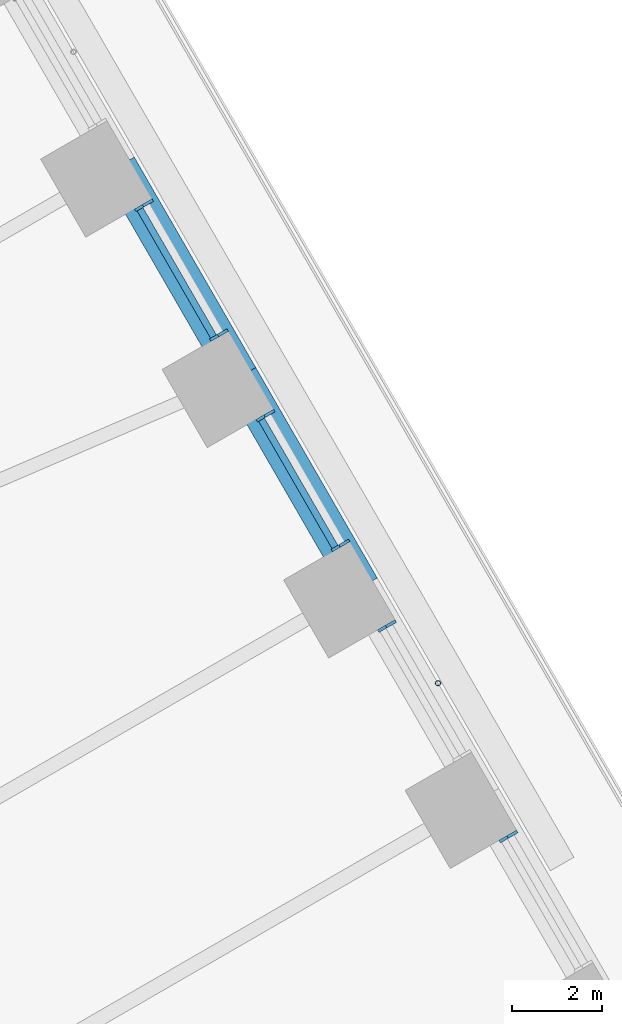
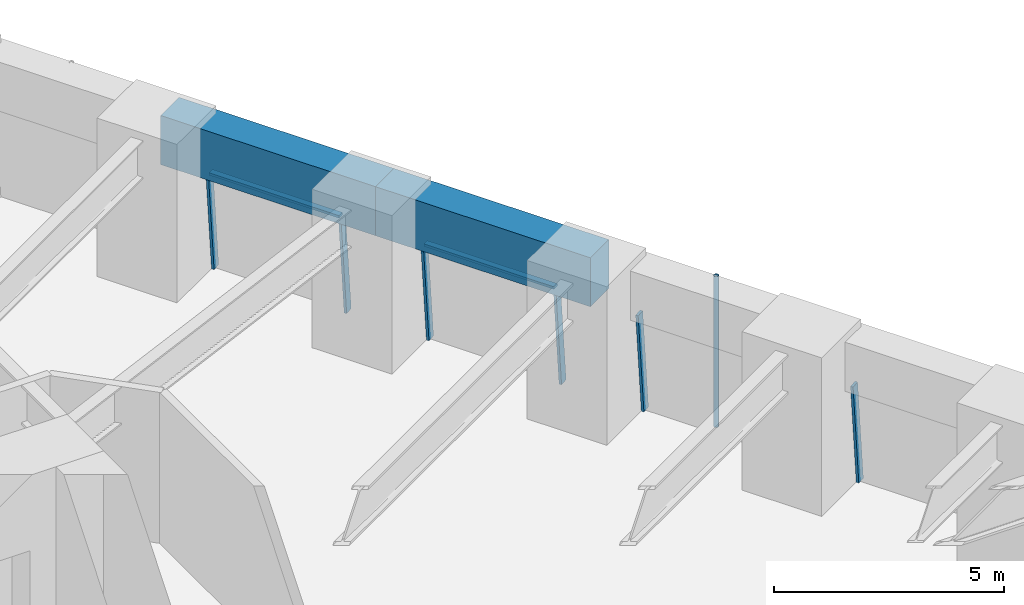
# One storey, part 13 of 23: 9 members, 2 beams, 4 elements without a shape of their own.
"""IFC4 building model written with IfcOpenShell, lengths in metres."""

from ifc_helpers import new_model, si_unit, direction, frame, origin, origin_2d, place, context, subcontext, project, spatial, rectangle, hollow_circle, extrude, material, material_profile, profile_set, type_object, element, aggregate, save


model = new_model("IFC4")

# Units and contexts
model_context = context("Model", 3, precision=1e-05, world=origin(), true_north=direction((0.0, 1.0)))
body_context = subcontext(model_context, "Body", "Model", "MODEL_VIEW")
ifc_project = project(units=[si_unit("LENGTHUNIT", "METRE"), si_unit("AREAUNIT", "SQUARE_METRE"), si_unit("VOLUMEUNIT", "CUBIC_METRE"), si_unit("PLANEANGLEUNIT", "RADIAN"), si_unit("MASSUNIT", "GRAM", prefix="KILO")], contexts=[model_context])

# Site, building, storey
site_placement = place(None, origin())
site = spatial("IfcSite", under=ifc_project, at=site_placement, CompositionType="ELEMENT")
building_placement = place(site_placement, origin())
building = spatial("IfcBuilding", under=site, at=building_placement, Name="Tarfa Lantern Tower", CompositionType="ELEMENT")
storey_placement = place(building_placement, frame((0.0, 0.0, 82.300048828125)))
storey = spatial("IfcBuildingStorey", under=building, at=storey_placement, Name="L18", CompositionType="ELEMENT", Elevation=82.300048828125)

# Curtain wall, member
ifc_material_1 = material(Name="Aluminium framed curtain wall", Category="aluminium")
curtain_wall_type = type_object("IfcCurtainWallType", Name="CW1 CANTED GLAZING LOW ZONE 2700", PredefinedType="USERDEFINED", material=ifc_material_1)
curtain_wall_1_placement = place(storey_placement, origin())
curtain_wall_1 = element("IfcCurtainWall", 1, at=curtain_wall_1_placement, inside=storey, type_object=curtain_wall_type, Name="CW1 NE L18", ObjectType="CURTAIN WALL", PredefinedType="USERDEFINED")
ifc_material_2 = material(Name="Aluminium mullion", Category="aluminium")
ifc_material_profile_1 = material_profile(ifc_material_2, rectangle(XDim=0.06494140625, YDim=0.199951171875, at=origin_2d()), Name="AL MULLION 65x200")
ifc_profile_set_1 = profile_set([ifc_material_profile_1], Name="Aluminium mullion")
member_type_1 = type_object("IfcMemberType", Name="CWM1 MULLION 65x200", PredefinedType="MULLION", material=ifc_profile_set_1)
member_1_placement = place(storey_placement, frame((35.26318359375, 6.722412109375, 0.0), z_axis=(-0.07986442134, -0.046099868913, 0.99573916077), x_axis=(0.499919672301, -0.866071776036, 0.0)))
member_1 = element("IfcMember", 2, at=member_1_placement, type_object=member_type_1, Name="CW1 mullion 2", PredefinedType="MULLION", context=body_context, shape_type="SweptSolid", body=[
    extrude(rectangle(XDim=0.06494140625, YDim=0.199951171875, at=origin_2d()), origin(), (0.0, 0.0, 1.0), 2.71142578125),
])
aggregate(curtain_wall_1, [member_1])

curtain_wall_2_placement = place(storey_placement, origin())
curtain_wall_2 = element("IfcCurtainWall", 3, at=curtain_wall_2_placement, inside=storey, type_object=curtain_wall_type, Name="CW1 NE L18", ObjectType="CURTAIN WALL", PredefinedType="USERDEFINED")
member_2_placement = place(storey_placement, frame((32.56884765625, 11.38916015625, 0.0), z_axis=(-0.07986442134, -0.046099868913, 0.99573916077), x_axis=(0.499919672301, -0.866071776036, 0.0)))
member_2 = element("IfcMember", 4, at=member_2_placement, type_object=member_type_1, Name="CW1 mullion 2", PredefinedType="MULLION", context=body_context, shape_type="SweptSolid", body=[
    extrude(rectangle(XDim=0.06494140625, YDim=0.199951171875, at=origin_2d()), origin(), (0.0, 0.0, 1.0), 2.71142578125),
])
aggregate(curtain_wall_2, [member_2])

# Curtain wall, members
curtain_wall_3_placement = place(storey_placement, origin())
curtain_wall_3 = element("IfcCurtainWall", 5, at=curtain_wall_3_placement, inside=storey, type_object=curtain_wall_type, Name="CW1 NE L18", ObjectType="CURTAIN WALL", PredefinedType="USERDEFINED")
member_3_placement = place(storey_placement, frame((31.536376953125, 13.177490234375, 0.0), z_axis=(-0.07986442134, -0.046099868913, 0.99573916077), x_axis=(0.499919672301, -0.866071776036, 0.0)))
member_3 = element("IfcMember", 6, at=member_3_placement, type_object=member_type_1, Name="CW1 mullion 1", PredefinedType="MULLION", context=body_context, shape_type="SweptSolid", body=[
    extrude(rectangle(XDim=0.06494140625, YDim=0.199951171875, at=origin_2d()), origin(), (0.0, 0.0, 1.0), 2.71142578125),
])
member_4_placement = place(storey_placement, frame((29.87451171875, 16.055908203125, 0.0), z_axis=(-0.07986442134, -0.046099868913, 0.99573916077), x_axis=(0.499919672301, -0.866071776036, 0.0)))
member_4 = element("IfcMember", 7, at=member_4_placement, type_object=member_type_1, Name="CW1 mullion 2", PredefinedType="MULLION", context=body_context, shape_type="SweptSolid", body=[
    extrude(rectangle(XDim=0.06494140625, YDim=0.199951171875, at=origin_2d()), origin(), (0.0, 0.0, 1.0), 2.71142578125),
])

curtain_wall_4_placement = place(storey_placement, origin())
curtain_wall_4 = element("IfcCurtainWall", 8, at=curtain_wall_4_placement, inside=storey, type_object=curtain_wall_type, Name="CW1 NE L18", ObjectType="CURTAIN WALL", PredefinedType="USERDEFINED")
member_5_placement = place(storey_placement, frame((28.842041015625, 17.84423828125, 0.0), z_axis=(-0.07986442134, -0.046099868913, 0.99573916077), x_axis=(0.499919672301, -0.866071776036, 0.0)))
member_5 = element("IfcMember", 9, at=member_5_placement, type_object=member_type_1, Name="CW1 mullion 1", PredefinedType="MULLION", context=body_context, shape_type="SweptSolid", body=[
    extrude(rectangle(XDim=0.06494140625, YDim=0.199951171875, at=origin_2d()), origin(), (0.0, 0.0, 1.0), 2.71142578125),
])
member_6_placement = place(storey_placement, frame((27.18017578125, 20.722412109375, 0.0), z_axis=(-0.07986442134, -0.046099868913, 0.99573916077), x_axis=(0.499919672301, -0.866071776036, 0.0)))
member_6 = element("IfcMember", 10, at=member_6_placement, type_object=member_type_1, Name="CW1 mullion 2", PredefinedType="MULLION", context=body_context, shape_type="SweptSolid", body=[
    extrude(rectangle(XDim=0.06494140625, YDim=0.199951171875, at=origin_2d()), origin(), (0.0, 0.0, 1.0), 2.71142578125),
])

# Member
ifc_material_3 = material(Name="Aluminium transom", Category="aluminium")
ifc_material_profile_2 = material_profile(ifc_material_3, rectangle(XDim=0.14990234375, YDim=0.06494140625, at=origin_2d()), Name="AL TRANSOM 150x65")
ifc_profile_set_2 = profile_set([ifc_material_profile_2], Name="Aluminium transom")
member_type_2 = type_object("IfcMemberType", Name="CWT1 TRANSOM 150x65", PredefinedType="USERDEFINED", material=ifc_profile_set_2)
member_7_placement = place(storey_placement, frame((31.30615234375, 13.082275390625, 2.66748046875), z_axis=(-0.500022939057, 0.866012159509, 0.0), x_axis=(-0.866012159509, -0.500022939057, 0.0)))
member_7 = element("IfcMember", 11, at=member_7_placement, type_object=member_type_2, Name="CW1 transom 1.2", ObjectType="TRANSOM", PredefinedType="USERDEFINED", context=body_context, shape_type="SweptSolid", body=[
    extrude(rectangle(XDim=0.14990234375, YDim=0.06494140625, at=origin_2d()), origin(), (0.0, 0.0, 1.0), 3.258544921875),
])

aggregate(curtain_wall_3, [member_3, member_4, member_7])

member_8_placement = place(storey_placement, frame((28.61181640625, 17.748779296875, 2.66748046875), z_axis=(-0.499966746847, 0.86604460165, 0.0), x_axis=(-0.86604460165, -0.499966746847, 0.0)))
member_8 = element("IfcMember", 12, at=member_8_placement, type_object=member_type_2, Name="CW1 transom 1.2", ObjectType="TRANSOM", PredefinedType="USERDEFINED", context=body_context, shape_type="SweptSolid", body=[
    extrude(rectangle(XDim=0.14990234375, YDim=0.06494140625, at=origin_2d()), origin(), (0.0, 0.0, 1.0), 3.258544921875),
])

aggregate(curtain_wall_4, [member_5, member_6, member_8])

# Beams
ifc_material_4 = material(Name="Concrete C80/95", Category="concrete")
ifc_material_profile_3 = material_profile(ifc_material_4, rectangle(XDim=0.800048828125, YDim=1.300048828125, at=origin_2d()), Name="RC 800x1300")
ifc_profile_set_3 = profile_set([ifc_material_profile_3], Name="Concrete C80/95")
beam_type = type_object("IfcBeamType", Name="EB1 RC 800x1300", PredefinedType="SPANDREL", material=ifc_profile_set_3)
beam_1_placement = place(storey_placement, frame((31.896728515625, 12.193359375, 3.349853515625), z_axis=(-0.499998287579, 0.866026392449, 0.0), x_axis=(-0.866026392449, -0.499998287579, 0.0)))
element("IfcBeam", 13, at=beam_1_placement, inside=storey, type_object=beam_type, Name="Edge beam NE2", PredefinedType="SPANDREL", context=body_context, shape_type="SweptSolid", body=[
    extrude(rectangle(XDim=0.800048828125, YDim=1.300048828125, at=origin_2d()), origin(), (0.0, 0.0, 1.0), 5.388671875),
])
beam_2_placement = place(storey_placement, frame((29.202392578125, 16.860107421875, 3.349853515625), z_axis=(-0.500017906299, 0.866015065331, 0.0), x_axis=(-0.866015065331, -0.500017906299, 0.0)))
element("IfcBeam", 14, at=beam_2_placement, inside=storey, type_object=beam_type, Name="Edge beam NE3", PredefinedType="SPANDREL", context=body_context, shape_type="SweptSolid", body=[
    extrude(rectangle(XDim=0.800048828125, YDim=1.300048828125, at=origin_2d()), origin(), (0.0, 0.0, 1.0), 5.388427734375),
])

# Member
ifc_material_5 = material(Name="Steel S355", Category="steel")
ifc_material_profile_4 = material_profile(ifc_material_5, hollow_circle(Radius=0.05712890625, WallThickness=0.00634765625, at=origin_2d()), Name="CHS114.3x6.3")
ifc_profile_set_4 = profile_set([ifc_material_profile_4], Name="Steel S355")
member_type_3 = type_object("IfcMemberType", Name="TR1 GREEN WALL TRELLIS CHS114.3x6.3", PredefinedType="USERDEFINED", material=ifc_profile_set_4)
member_9_placement = place(storey_placement, frame((33.59033203125, 10.06005859375, 0.0), z_axis=(0.0, 0.0, 1.0), x_axis=(1.0, 0.0, 0.0)))
element("IfcMember", 15, at=member_9_placement, inside=storey, type_object=member_type_3, Name="Trellis post NE 1", ObjectType="TRELLIS", PredefinedType="USERDEFINED", context=body_context, shape_type="SweptSolid", body=[
    extrude(hollow_circle(Radius=0.05712890625, WallThickness=0.00634765625, at=origin_2d()), origin(), (0.0, 0.0, 1.0), 4.0),
])

save(model, "model.ifc")
